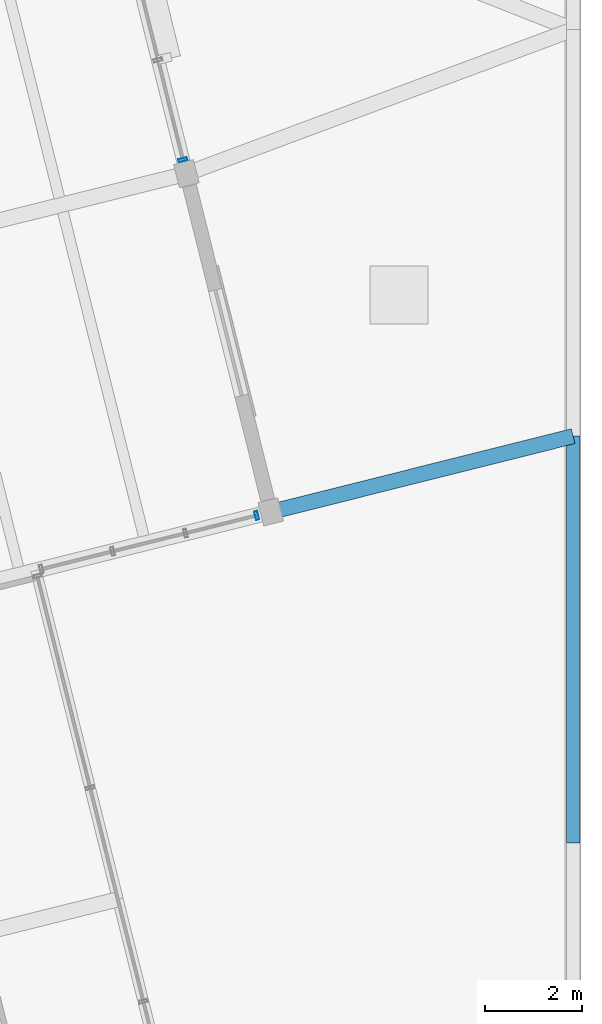
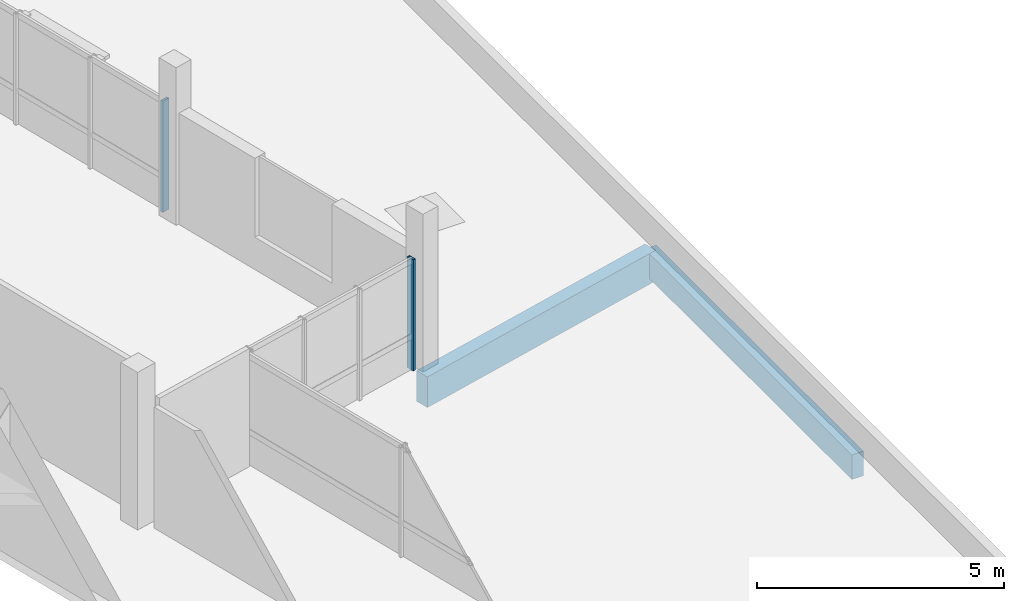
# One storey, part 18 of 37: 2 beams, 2 members, 2 elements without a shape of their own.
"""IFC4 building model written with IfcOpenShell, lengths in metres."""

from ifc_helpers import new_model, si_unit, direction, frame, origin, origin_2d, place, context, subcontext, project, spatial, rectangle, hollow_rectangle, extrude, material, layer, layer_set, material_profile, profile_set, type_object, element, aggregate, save


model = new_model("IFC4")

# Units and contexts
model_context = context("Model", 3, precision=1e-05, world=origin(), true_north=direction((0.0, 1.0)))
body_context = subcontext(model_context, "Body", "Model", "MODEL_VIEW")
ifc_project = project(units=[si_unit("LENGTHUNIT", "METRE"), si_unit("AREAUNIT", "SQUARE_METRE"), si_unit("VOLUMEUNIT", "CUBIC_METRE"), si_unit("PLANEANGLEUNIT", "RADIAN"), si_unit("MASSUNIT", "GRAM", prefix="KILO")], contexts=[model_context])

# Site, building, storey
site_placement = place(None, origin())
site = spatial("IfcSite", under=ifc_project, at=site_placement, CompositionType="ELEMENT")
building_placement = place(site_placement, origin())
building = spatial("IfcBuilding", under=site, at=building_placement, Name="Meriwether Solvik Hall", CompositionType="ELEMENT")
storey_placement = place(building_placement, frame((0.0, 0.0, 26.10009765625)))
storey = spatial("IfcBuildingStorey", under=building, at=storey_placement, Name="L06", CompositionType="ELEMENT", Elevation=26.10009765625)

# Beams
ifc_material_1 = material(Name="Glulam Douglas-Fir 24F-V8 GL28h", Category="wood")
ifc_material_profile_1 = material_profile(ifc_material_1, rectangle(XDim=0.27294921875, YDim=0.610107421875, at=origin_2d()), Name="GLB-273X610")
ifc_profile_set_1 = profile_set([ifc_material_profile_1], Name="Glulam Douglas-Fir 24F-V8 GL28h")
beam_type_1 = type_object("IfcBeamType", Name="BM-GL-273X610", PredefinedType="SPANDREL", material=ifc_profile_set_1)
beam_1_placement = place(storey_placement, frame((114.199951171875, 58.39990234375, -0.5751953125), z_axis=(0.0, 1.0, 0.0), x_axis=(-1.0, 0.0, 0.0)))
element("IfcBeam", 1, at=beam_1_placement, inside=storey, type_object=beam_type_1, Name="Podium Girder 13:G-H (L06)", PredefinedType="SPANDREL", context=body_context, shape_type="SweptSolid", body=[
    extrude(rectangle(XDim=0.27294921875, YDim=0.610107421875, at=origin_2d()), origin(), (0.0, 0.0, 1.0), 8.400146484375),
])
ifc_material_2 = material(Name="Glulam Douglas-Fir 24F-V8 GL28h", Category="wood")
ifc_material_profile_2 = material_profile(ifc_material_2, rectangle(XDim=0.31494140625, YDim=0.760009765625, at=origin_2d()), Name="GLB-315X760")
ifc_profile_set_2 = profile_set([ifc_material_profile_2], Name="Glulam Douglas-Fir 24F-V8 GL28h")
beam_type_2 = type_object("IfcBeamType", Name="BM-GL-315X760", PredefinedType="BEAM", material=ifc_profile_set_2)
beam_2_placement = place(storey_placement, frame((107.95458984375, 65.234619140625, -0.650146484375), z_axis=(0.969992872522, 0.243133352825, 0.0), x_axis=(-0.243133352825, 0.969992872522, 0.0)))
element("IfcBeam", 2, at=beam_2_placement, inside=storey, type_object=beam_type_2, Name="Diaphragm Collector Girder T7/TC-13/H (L06)", PredefinedType="BEAM", context=body_context, shape_type="SweptSolid", body=[
    extrude(rectangle(XDim=0.31494140625, YDim=0.760009765625, at=origin_2d()), origin(), (0.0, 0.0, 1.0), 6.4384765625),
])

# Curtain wall, member
ifc_material_3 = material(Name="Thermally Broken Anodised Aluminium 6063-T6 and Low-E Glass", Category="aluminium")
ifc_layer_1 = layer(ifc_material_3, 0.179931640625)
ifc_layer_set_1 = layer_set([ifc_layer_1], Name="Thermally Broken Anodised Aluminium 6063-T6 and Low-E Glass")
curtain_wall_type_1 = type_object("IfcCurtainWallType", Name="CW-UNIT-F", PredefinedType="USERDEFINED", material=ifc_layer_set_1)
curtain_wall_1_placement = place(storey_placement, origin())
curtain_wall_1 = element("IfcCurtainWall", 3, at=curtain_wall_1_placement, inside=storey, type_object=curtain_wall_type_1, Name="Curtain Wall E2_B0 (L06)", ObjectType="UNITISED CURTAIN WALL", PredefinedType="USERDEFINED")
ifc_material_4 = material(Name="Anodised Aluminium 6063-T6", Category="aluminium")
ifc_material_profile_3 = material_profile(ifc_material_4, hollow_rectangle(XDim=0.06494140625, YDim=0.179931640625, WallThickness=0.00439453125, at=origin_2d()), Name="CWM-65X180")
ifc_profile_set_3 = profile_set([ifc_material_profile_3], Name="Anodised Aluminium 6063-T6")
member_type = type_object("IfcMemberType", Name="CW-MUL-65X180", PredefinedType="MULLION", material=ifc_profile_set_3)
member_1_placement = place(storey_placement, frame((107.665771484375, 65.16259765625, 0.0), z_axis=(0.0, 0.0, 1.0), x_axis=(-0.97029572308, -0.241921908419, 0.0)))
member_1 = element("IfcMember", 4, at=member_1_placement, type_object=member_type, Name="Curtain Wall Mullion 1", PredefinedType="MULLION", context=body_context, shape_type="SweptSolid", body=[
    extrude(hollow_rectangle(XDim=0.06494140625, YDim=0.179931640625, WallThickness=0.00439453125, at=origin_2d()), origin(), (0.0, 0.0, 1.0), 2.75),
])
aggregate(curtain_wall_1, [member_1])

ifc_material_5 = material(Name="Thermally Broken Anodised Aluminium 6063-T6 and Low-E Glass", Category="aluminium")
ifc_layer_2 = layer(ifc_material_5, 0.179931640625)
ifc_layer_set_2 = layer_set([ifc_layer_2], Name="Thermally Broken Anodised Aluminium 6063-T6 and Low-E Glass")
curtain_wall_type_2 = type_object("IfcCurtainWallType", Name="CW-UNIT-A", PredefinedType="USERDEFINED", material=ifc_layer_set_2)
curtain_wall_2_placement = place(storey_placement, origin())
curtain_wall_2 = element("IfcCurtainWall", 5, at=curtain_wall_2_placement, inside=storey, type_object=curtain_wall_type_2, Name="Curtain Wall E3_B1 (L06)", ObjectType="UNITISED CURTAIN WALL", PredefinedType="USERDEFINED")
member_2_placement = place(storey_placement, frame((106.140625, 72.509521484375, 0.0), z_axis=(0.0, 0.0, 1.0), x_axis=(0.241921764185, -0.970295759041, 0.0)))
member_2 = element("IfcMember", 6, at=member_2_placement, type_object=member_type, Name="Curtain Wall Mullion 4", PredefinedType="MULLION", context=body_context, shape_type="SweptSolid", body=[
    extrude(hollow_rectangle(XDim=0.06494140625, YDim=0.179931640625, WallThickness=0.00439453125, at=origin_2d()), origin(), (0.0, 0.0, 1.0), 2.75),
])
aggregate(curtain_wall_2, [member_2])

save(model, "model.ifc")
